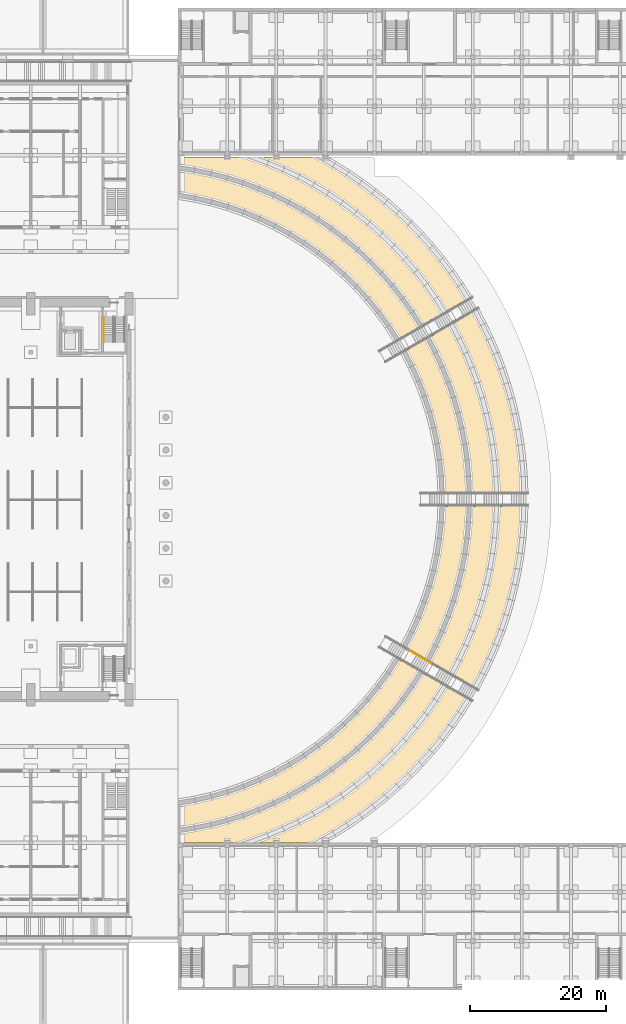
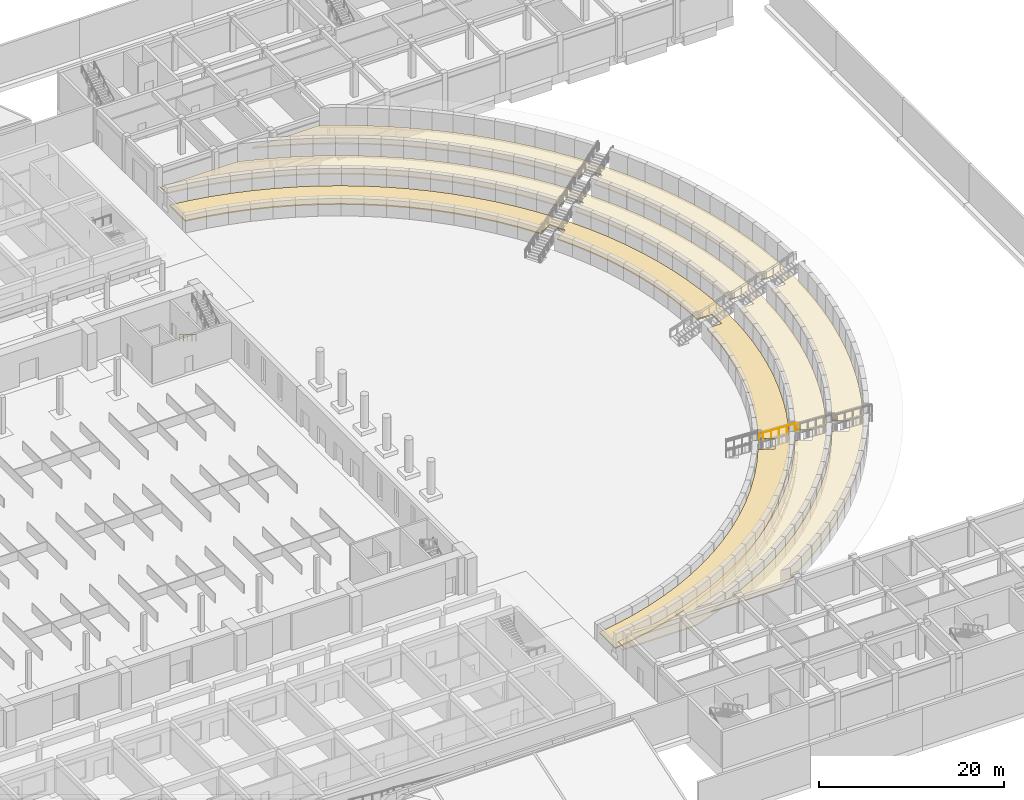
# One storey, part 68 of 73: 3 coverings, 2 railings, 1 element without a shape of its own.
"""IFC4 building model written with IfcOpenShell, lengths in metres."""

from ifc_helpers import new_model, si_unit, direction, frame, origin, origin_2d, place, context, subcontext, project, spatial, polyline, circle, outline, extrude, material, layer, layer_set, type_object, element, aggregate, save


model = new_model("IFC4")

# Units and contexts
model_context = context("Model", 3, precision=1e-05, world=origin(), true_north=direction((0.0, 1.0)))
body_context = subcontext(model_context, "Body", "Model", "MODEL_VIEW")
ifc_project = project(units=[si_unit("LENGTHUNIT", "METRE"), si_unit("AREAUNIT", "SQUARE_METRE"), si_unit("VOLUMEUNIT", "CUBIC_METRE"), si_unit("PLANEANGLEUNIT", "RADIAN"), si_unit("MASSUNIT", "GRAM", prefix="KILO")], contexts=[model_context])

# Site, building, storey
site_placement = place(None, origin())
site = spatial("IfcSite", under=ifc_project, at=site_placement, CompositionType="ELEMENT")
building_placement = place(site_placement, origin())
building = spatial("IfcBuilding", under=site, at=building_placement, Name="Alderwick Market Hall", CompositionType="ELEMENT")
storey_placement = place(building_placement, origin())
storey = spatial("IfcBuildingStorey", under=building, at=storey_placement, Name="LG", CompositionType="ELEMENT", Elevation=0.0)

# Railing
ifc_material_1 = material(Name="Steel, painted", Category="steel")
railing_type_1 = type_object("IfcRailingType", Name="H Handrail 900", PredefinedType="HANDRAIL", material=ifc_material_1)
railing_1_placement = place(storey_placement, frame((147.5, 105.89990234375, 0.17138671875)))
element("IfcRailing", 1, at=railing_1_placement, inside=storey, type_object=railing_type_1, Name="LG H-NE stair handrail 1", PredefinedType="HANDRAIL", context=body_context, shape_type="SweptSolid", body=[
    extrude(circle(Radius=0.02392578125, at=origin_2d()), frame((0.0, 0.0, 0.8759765625), z_axis=(0.0, -0.852850264322, 0.5221555579), x_axis=(1.0, 0.0, 0.0)), (0.0, 0.0, 1.0), 4.267822265625),
    extrude(circle(Radius=0.02099609375, at=origin_2d()), origin(), (0.0, 0.0, 1.0), 0.851806640625),
    extrude(circle(Radius=0.02099609375, at=origin_2d()), frame((0.0, -0.909912109375, 0.55712890625)), (0.0, 0.0, 1.0), 0.851806640625),
    extrude(circle(Radius=0.02099609375, at=origin_2d()), frame((0.0, -1.81982421875, 1.1142578125)), (0.0, 0.0, 1.0), 0.851806640625),
    extrude(circle(Radius=0.02099609375, at=origin_2d()), frame((0.0, -2.72998046875, 1.67138671875)), (0.0, 0.0, 1.0), 0.851806640625),
    extrude(circle(Radius=0.02099609375, at=origin_2d()), frame((0.0, -3.639892578125, 2.228515625)), (0.0, 0.0, 1.0), 0.851806640625),
])

# Stair, railing
ifc_material_2 = material(Name="Concrete 5000 psi (f'c 35 MPa)", Category="concrete")
stair_type = type_object("IfcStairType", Name="S Garden Stair", PredefinedType="STRAIGHT_RUN_STAIR", material=ifc_material_2)
stair_placement = place(storey_placement, origin())
stair = element("IfcStair", 2, at=stair_placement, inside=storey, type_object=stair_type, Name="Terrace stair 2.1", PredefinedType="STRAIGHT_RUN_STAIR")
ifc_material_3 = material(Name="Steel ASTM A500 Grade C", Category="steel")
railing_type_2 = type_object("IfcRailingType", Name="S Handrail 900", PredefinedType="HANDRAIL", material=ifc_material_3)
railing_2_placement = place(storey_placement, frame((191.8583984375, 57.22705078125, 1.050048828125)))
railing_2 = element("IfcRailing", 3, at=railing_2_placement, type_object=railing_type_2, Name="Stair 2.1 handrail L", PredefinedType="HANDRAIL", context=body_context, shape_type="SweptSolid", body=[
    extrude(circle(Radius=0.02490234375, at=origin_2d()), frame((0.0, 0.0, 0.875), z_axis=(0.817924745205, -0.472352877708, 0.328453756413), x_axis=(0.500098305348, 0.865968639725, 0.0)), (0.0, 0.0, 1.0), 0.456298828125),
    extrude(circle(Radius=0.02490234375, at=origin_2d()), frame((0.373291015625, -0.215576171875, 1.02490234375), z_axis=(0.817951966849, -0.4722706813, 0.328504160571), x_axis=(0.500020560727, 0.866013532718, 0.0)), (0.0, 0.0, 1.0), 3.65283203125),
    extrude(circle(Radius=0.02490234375, at=origin_2d()), frame((3.361083984375, -1.940673828125, 2.224609375), z_axis=(0.866334516308, -0.499464218792, 0.0), x_axis=(0.499464218792, 0.866334516308, 0.0)), (0.0, 0.0, 1.0), 0.300048828125),
    extrude(circle(Radius=0.02001953125, at=origin_2d()), origin(), (0.0, 0.0, 1.0), 0.849853515625),
    extrude(circle(Radius=0.02001953125, at=origin_2d()), frame((0.373291015625, -0.215576171875, 0.14990234375)), (0.0, 0.0, 1.0), 0.849853515625),
    extrude(circle(Radius=0.02001953125, at=origin_2d()), frame((1.1201171875, -0.64697265625, 0.449951171875)), (0.0, 0.0, 1.0), 0.849853515625),
    extrude(circle(Radius=0.02001953125, at=origin_2d()), frame((1.8671875, -1.078125, 0.75)), (0.0, 0.0, 1.0), 0.849853515625),
    extrude(circle(Radius=0.02001953125, at=origin_2d()), frame((2.6142578125, -1.50927734375, 1.0498046875)), (0.0, 0.0, 1.0), 0.849853515625),
    extrude(circle(Radius=0.02001953125, at=origin_2d()), frame((3.361083984375, -1.940673828125, 1.349853515625)), (0.0, 0.0, 1.0), 0.849853515625),
    extrude(circle(Radius=0.02001953125, at=origin_2d()), frame((3.62109375, -2.090576171875, 1.349853515625)), (0.0, 0.0, 1.0), 0.849853515625),
])
aggregate(stair, [railing_2])

# Coverings
ifc_material_4 = material(Name="Turf on topsoil")
ifc_layer = layer(ifc_material_4, 0.14990234375)
ifc_layer_set = layer_set([ifc_layer], Name="Turf on topsoil")
covering_type = type_object("IfcCoveringType", Name="S Lawn Turf 150", PredefinedType="USERDEFINED", material=ifc_layer_set)
covering_1_placement = place(storey_placement, frame((0.0, 0.0, 1.050048828125)))
element("IfcCovering", 4, at=covering_1_placement, inside=storey, type_object=covering_type, Name="Planted terrace 1.01.1", ObjectType="LAWN", PredefinedType="USERDEFINED", context=body_context, shape_type="SweptSolid", body=[
    extrude(outline(polyline([(163.352294921875, 35.319580078125), (160.91064453125, 34.764892578125), (158.699951171875, 34.389892578125), (158.699951171875, 30.956787109375), (160.76171875, 31.276611328125), (163.140380859375, 31.76806640625), (165.49169921875, 32.37744140625), (167.8095703125, 33.103515625), (170.08837890625, 33.944091796875), (172.322509765625, 34.897216796875), (174.50634765625, 35.960693359375), (176.634521484375, 37.131591796875), (178.701416015625, 38.4072265625), (180.702392578125, 39.784423828125), (182.632080078125, 41.259521484375), (184.485595703125, 42.8291015625), (186.2587890625, 44.489013671875), (187.947021484375, 46.2353515625), (189.546142578125, 48.063720703125), (191.052001953125, 49.969482421875), (192.4609375, 51.947998046875), (193.773681640625, 54.000732421875), (194.76025390625, 55.70947265625), (195.84716796875, 57.802001953125), (196.828857421875, 59.938232421875), (197.706298828125, 62.119384765625), (198.477294921875, 64.340087890625), (199.140380859375, 66.595458984375), (199.694091796875, 68.88037109375), (200.136474609375, 71.189208984375), (200.46728515625, 73.516845703125), (200.68505859375, 75.857666015625), (200.7900390625, 78.21337890625), (200.7900390625, 80.1865234375), (200.68505859375, 82.54248046875), (200.46728515625, 84.88330078125), (200.136474609375, 87.210693359375), (199.694091796875, 89.51953125), (199.140380859375, 91.804443359375), (198.477294921875, 94.059814453125), (197.706298828125, 96.28076171875), (196.828857421875, 98.4619140625), (195.84716796875, 100.597900390625), (194.76025390625, 102.690673828125), (193.773681640625, 104.3994140625), (192.4609375, 106.451904296875), (191.052001953125, 108.430419921875), (189.546142578125, 110.336181640625), (187.947021484375, 112.16455078125), (186.2587890625, 113.910888671875), (184.485595703125, 115.571044921875), (182.632080078125, 117.140380859375), (180.702392578125, 118.615478515625), (178.701416015625, 119.99267578125), (176.634521484375, 121.268310546875), (174.50634765625, 122.439208984375), (172.322509765625, 123.502685546875), (170.08837890625, 124.455810546875), (167.8095703125, 125.29638671875), (165.49169921875, 126.0224609375), (163.140380859375, 126.632080078125), (160.76171875, 127.123291015625), (158.699951171875, 127.443115234375), (158.699951171875, 124.01025390625), (160.91064453125, 123.635009765625), (163.352294921875, 123.080322265625), (165.759765625, 122.3916015625), (168.12548828125, 121.57080078125), (170.442138671875, 120.62060546875), (172.70263671875, 119.5439453125), (174.900390625, 118.343994140625), (177.0283203125, 117.0244140625), (179.080322265625, 115.589111328125), (181.0498046875, 114.042724609375), (182.9306640625, 112.389892578125), (184.71728515625, 110.6357421875), (186.404541015625, 108.785400390625), (187.98681640625, 106.8447265625), (189.45947265625, 104.819580078125), (190.79443359375, 102.752685546875), (191.32421875, 103.05859375), (191.349365234375, 103.015380859375), (192.4326171875, 103.640869140625), (193.4326171875, 101.90869140625), (192.349365234375, 101.283203125), (192.374267578125, 101.239990234375), (191.844482421875, 100.93408203125), (192.927001953125, 98.827880859375), (193.91357421875, 96.62744140625), (194.78173828125, 94.377685546875), (195.529052734375, 92.0849609375), (196.153076171875, 89.755615234375), (196.65234375, 87.396484375), (197.025390625, 85.01416015625), (197.271240234375, 82.615234375), (197.38671875, 80.25), (197.99853515625, 80.25), (197.99853515625, 80.199951171875), (199.24951171875, 80.199951171875), (199.24951171875, 78.199951171875), (197.99853515625, 78.199951171875), (197.99853515625, 78.14990234375), (197.38671875, 78.14990234375), (197.271240234375, 75.784912109375), (197.025390625, 73.385986328125), (196.65234375, 71.00341796875), (196.153076171875, 68.644287109375), (195.529052734375, 66.31494140625), (194.78173828125, 64.022216796875), (193.91357421875, 61.7724609375), (192.927001953125, 59.572021484375), (191.844482421875, 57.4658203125), (192.374267578125, 57.16015625), (192.349365234375, 57.11669921875), (193.4326171875, 56.4912109375), (192.4326171875, 54.75927734375), (191.349365234375, 55.384765625), (191.32421875, 55.34130859375), (190.79443359375, 55.647216796875), (189.45947265625, 53.580322265625), (187.98681640625, 51.55517578125), (186.404541015625, 49.614501953125), (184.71728515625, 47.764404296875), (182.9306640625, 46.010009765625), (181.0498046875, 44.357421875), (179.080322265625, 42.810791015625), (177.0283203125, 41.375732421875), (174.900390625, 40.05615234375), (172.70263671875, 38.856201171875), (170.442138671875, 37.779296875), (168.12548828125, 36.8291015625), (165.759765625, 36.00830078125), (163.352294921875, 35.319580078125)])), origin(), (0.0, 0.0, 1.0), 0.14990234375),
])
covering_2_placement = place(storey_placement, frame((0.0, 0.0, 2.25)))
element("IfcCovering", 5, at=covering_2_placement, inside=storey, type_object=covering_type, Name="Planted terrace 2.01.1", ObjectType="LAWN", PredefinedType="USERDEFINED", context=body_context, shape_type="SweptSolid", body=[
    extrude(outline(polyline([(163.2763671875, 31.18359375), (160.868408203125, 30.685791015625), (158.699951171875, 30.349609375), (158.699951171875, 28.81005859375), (158.39990234375, 28.81005859375), (158.39990234375, 28.800048828125), (167.496337890625, 28.800048828125), (168.281494140625, 29.0458984375), (169.148681640625, 29.333984375), (171.452880859375, 30.18212890625), (173.71484375, 31.13671875), (175.929931640625, 32.195556640625), (178.093505859375, 33.3564453125), (180.200439453125, 34.616943359375), (182.246337890625, 35.97412109375), (184.22705078125, 37.42529296875), (186.137939453125, 38.966796875), (187.974853515625, 40.595947265625), (189.73388671875, 42.30859375), (191.411376953125, 44.1015625), (193.00341796875, 45.970703125), (194.5068359375, 47.911865234375), (195.91796875, 49.9208984375), (197.23779296875, 51.99951171875), (198.225341796875, 53.7099609375), (199.308837890625, 55.777587890625), (200.297119140625, 57.884765625), (201.191162109375, 60.03369140625), (201.989501953125, 62.22021484375), (202.690673828125, 64.439453125), (203.29296875, 66.687744140625), (203.795654296875, 68.960205078125), (204.197265625, 71.2529296875), (204.497314453125, 73.56103515625), (204.6953125, 75.880126953125), (204.790771484375, 78.21240234375), (204.790771484375, 80.187744140625), (204.6953125, 82.52001953125), (204.497314453125, 84.839111328125), (204.197265625, 87.147216796875), (203.795654296875, 89.439697265625), (203.29296875, 91.71240234375), (202.690673828125, 93.96044921875), (201.989501953125, 96.179931640625), (201.191162109375, 98.3662109375), (200.297119140625, 100.51513671875), (199.308837890625, 102.62255859375), (198.225341796875, 104.68994140625), (197.23779296875, 106.400390625), (195.91796875, 108.47900390625), (194.5068359375, 110.48828125), (193.00341796875, 112.42919921875), (191.411376953125, 114.29833984375), (189.73388671875, 116.09130859375), (187.974853515625, 117.80419921875), (186.137939453125, 119.43310546875), (184.22705078125, 120.974853515625), (182.246337890625, 122.42578125), (180.200439453125, 123.782958984375), (178.093505859375, 125.04345703125), (175.929931640625, 126.204345703125), (173.71484375, 127.26318359375), (171.452880859375, 128.218017578125), (169.148681640625, 129.066162109375), (168.2939453125, 129.35009765625), (158.699951171875, 129.35009765625), (158.699951171875, 128.05029296875), (160.868408203125, 127.714111328125), (163.2763671875, 127.216552734375), (165.65673828125, 126.599609375), (168.003173828125, 125.864501953125), (170.31005859375, 125.013671875), (172.57177734375, 124.048583984375), (174.782470703125, 122.97216796875), (176.936767578125, 121.786865234375), (179.029296875, 120.49560546875), (181.0546875, 119.101318359375), (183.00830078125, 117.608154296875), (184.884765625, 116.019287109375), (186.679931640625, 114.338623046875), (188.388916015625, 112.57080078125), (190.0078125, 110.719970703125), (191.531982421875, 108.790771484375), (192.95849609375, 106.787841796875), (194.259521484375, 104.753173828125), (194.789306640625, 105.05908203125), (194.814208984375, 105.015869140625), (195.8974609375, 105.64111328125), (196.8974609375, 103.9091796875), (195.814208984375, 103.28369140625), (195.839111328125, 103.240478515625), (195.3095703125, 102.9345703125), (196.38623046875, 100.861572265625), (197.3798828125, 98.69921875), (198.268310546875, 96.4912109375), (199.049072265625, 94.242919921875), (199.72021484375, 91.959716796875), (200.280517578125, 89.646728515625), (200.728515625, 87.3095703125), (201.063232421875, 84.953369140625), (201.28369140625, 82.58349609375), (201.387939453125, 80.25), (201.99951171875, 80.25), (201.99951171875, 80.199951171875), (203.250244140625, 80.199951171875), (203.250244140625, 78.199951171875), (201.99951171875, 78.199951171875), (201.99951171875, 78.14990234375), (201.387939453125, 78.14990234375), (201.28369140625, 75.81640625), (201.063232421875, 73.44677734375), (200.728515625, 71.090576171875), (200.280517578125, 68.753173828125), (199.72021484375, 66.440185546875), (199.049072265625, 64.156982421875), (198.268310546875, 61.90869140625), (197.3798828125, 59.700927734375), (196.38623046875, 57.538330078125), (195.3095703125, 55.46533203125), (195.839111328125, 55.15966796875), (195.814208984375, 55.1162109375), (196.8974609375, 54.490966796875), (195.8974609375, 52.7587890625), (194.814208984375, 53.38427734375), (194.789306640625, 53.3408203125), (194.259521484375, 53.646728515625), (192.95849609375, 51.6123046875), (191.531982421875, 49.609375), (190.0078125, 47.679931640625), (188.388916015625, 45.8291015625), (186.679931640625, 44.061279296875), (184.884765625, 42.380859375), (183.00830078125, 40.7919921875), (181.0546875, 39.298583984375), (179.029296875, 37.904541015625), (176.936767578125, 36.61328125), (174.782470703125, 35.427734375), (172.57177734375, 34.351318359375), (170.31005859375, 33.38623046875), (168.003173828125, 32.535400390625), (165.65673828125, 31.800537109375), (163.2763671875, 31.18359375)])), origin(), (0.0, 0.0, 1.0), 0.14990234375),
])
covering_3_placement = place(storey_placement, frame((0.0, 0.0, 3.449951171875)))
element("IfcCovering", 6, at=covering_3_placement, inside=storey, type_object=covering_type, Name="Planted terrace 3.01.1", ObjectType="LAWN", PredefinedType="USERDEFINED", context=body_context, shape_type="SweptSolid", body=[
    extrude(outline(polyline([(176.201416015625, 31.660400390625), (173.9609375, 30.58935546875), (171.673095703125, 29.623779296875), (169.43505859375, 28.800048828125), (178.0732421875, 28.800048828125), (178.193603515625, 28.861083984375), (179.04931640625, 29.31396484375), (181.07666015625, 30.46337890625), (183.0546875, 31.6953125), (184.980712890625, 33.007568359375), (186.85107421875, 34.397705078125), (188.662841796875, 35.863525390625), (190.41259765625, 37.402587890625), (192.097900390625, 39.01220703125), (193.715576171875, 40.689697265625), (195.2626953125, 42.432373046875), (196.7373046875, 44.237060546875), (198.13623046875, 46.100830078125), (199.45751953125, 48.0205078125), (200.701904296875, 49.998046875), (201.6904296875, 51.71044921875), (202.77099609375, 53.757080078125), (203.764404296875, 55.84033203125), (204.672119140625, 57.962158203125), (205.492919921875, 60.119384765625), (206.225341796875, 62.30810546875), (206.867919921875, 64.52490234375), (207.419921875, 66.76611328125), (207.8798828125, 69.02783203125), (208.247802734375, 71.306396484375), (208.5224609375, 73.597900390625), (208.703857421875, 75.89892578125), (208.79150390625, 78.21142578125), (208.79150390625, 80.188720703125), (208.703857421875, 82.501220703125), (208.5224609375, 84.802001953125), (208.247802734375, 87.09375), (207.8798828125, 89.372314453125), (207.419921875, 91.6337890625), (206.867919921875, 93.875), (206.225341796875, 96.091796875), (205.492919921875, 98.280517578125), (204.672119140625, 100.437744140625), (203.764404296875, 102.559814453125), (202.77099609375, 104.64306640625), (201.6904296875, 106.689453125), (200.701904296875, 108.40185546875), (199.45751953125, 110.37939453125), (198.13623046875, 112.299072265625), (196.7373046875, 114.162841796875), (195.2626953125, 115.967529296875), (193.715576171875, 117.710205078125), (192.097900390625, 119.3876953125), (190.41259765625, 120.997314453125), (188.662841796875, 122.536376953125), (186.85107421875, 124.002197265625), (184.980712890625, 125.392333984375), (183.0546875, 126.70458984375), (181.07666015625, 127.9365234375), (179.04931640625, 129.0859375), (178.550537109375, 129.35009765625), (170.1142578125, 129.35009765625), (171.673095703125, 128.776123046875), (173.9609375, 127.810791015625), (176.201416015625, 126.73974609375), (178.389404296875, 125.565673828125), (180.5205078125, 124.290771484375), (182.58984375, 122.918212890625), (184.593017578125, 121.45068359375), (186.525390625, 119.891357421875), (188.38330078125, 118.24365234375), (190.16259765625, 116.511474609375), (191.85888671875, 114.697998046875), (193.46923828125, 112.807861328125), (194.98974609375, 110.844482421875), (196.4169921875, 108.8125), (197.724365234375, 106.753662109375), (198.25390625, 107.0595703125), (198.279052734375, 107.01611328125), (199.3623046875, 107.6416015625), (200.3623046875, 105.909423828125), (199.279052734375, 105.2841796875), (199.303955078125, 105.24072265625), (198.7744140625, 104.93505859375), (199.846435546875, 102.88916015625), (200.845703125, 100.7578125), (201.750244140625, 98.58447265625), (202.5576171875, 96.373291015625), (203.2666015625, 94.128662109375), (203.8759765625, 91.854736328125), (204.38427734375, 89.556396484375), (204.79052734375, 87.237548828125), (205.093994140625, 84.9033203125), (205.294189453125, 82.5576171875), (205.388916015625, 80.25), (206.000244140625, 80.25), (206.000244140625, 80.199951171875), (207.2509765625, 80.199951171875), (207.2509765625, 78.199951171875), (206.000244140625, 78.199951171875), (206.000244140625, 78.14990234375), (205.388916015625, 78.14990234375), (205.294189453125, 75.84228515625), (205.093994140625, 73.496826171875), (204.79052734375, 71.162353515625), (204.38427734375, 68.84375), (203.8759765625, 66.545166015625), (203.2666015625, 64.271484375), (202.5576171875, 62.026611328125), (201.750244140625, 59.8154296875), (200.845703125, 57.64208984375), (199.846435546875, 55.5107421875), (198.7744140625, 53.46484375), (199.303955078125, 53.1591796875), (199.279052734375, 53.115966796875), (200.3623046875, 52.490478515625), (199.3623046875, 50.758544921875), (198.279052734375, 51.3837890625), (198.25390625, 51.340576171875), (197.724365234375, 51.646240234375), (196.4169921875, 49.58740234375), (194.98974609375, 47.555419921875), (193.46923828125, 45.59228515625), (191.85888671875, 43.701904296875), (190.16259765625, 41.888671875), (188.38330078125, 40.15625), (186.525390625, 38.5087890625), (184.593017578125, 36.949462890625), (182.58984375, 35.48193359375), (180.5205078125, 34.109130859375), (178.389404296875, 32.83447265625), (176.201416015625, 31.660400390625)])), origin(), (0.0, 0.0, 1.0), 0.150146484375),
])

save(model, "model.ifc")
